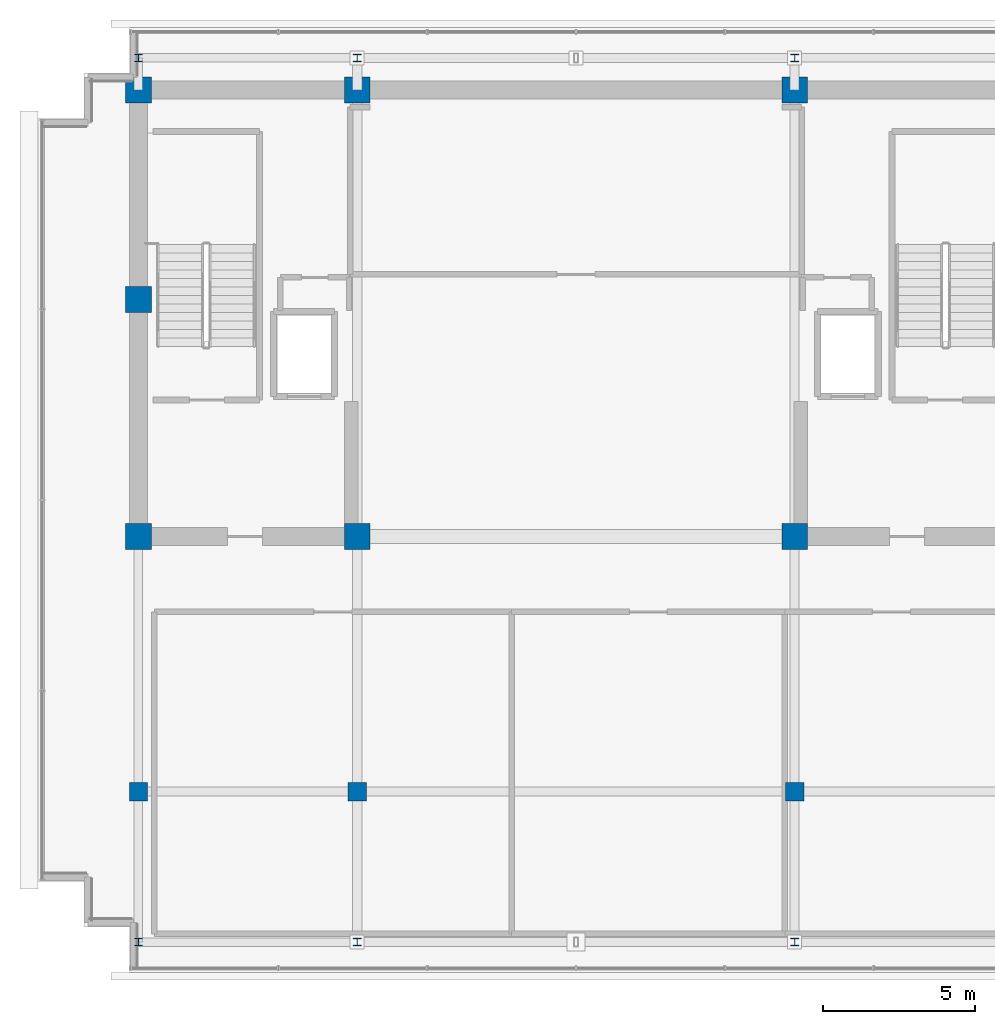
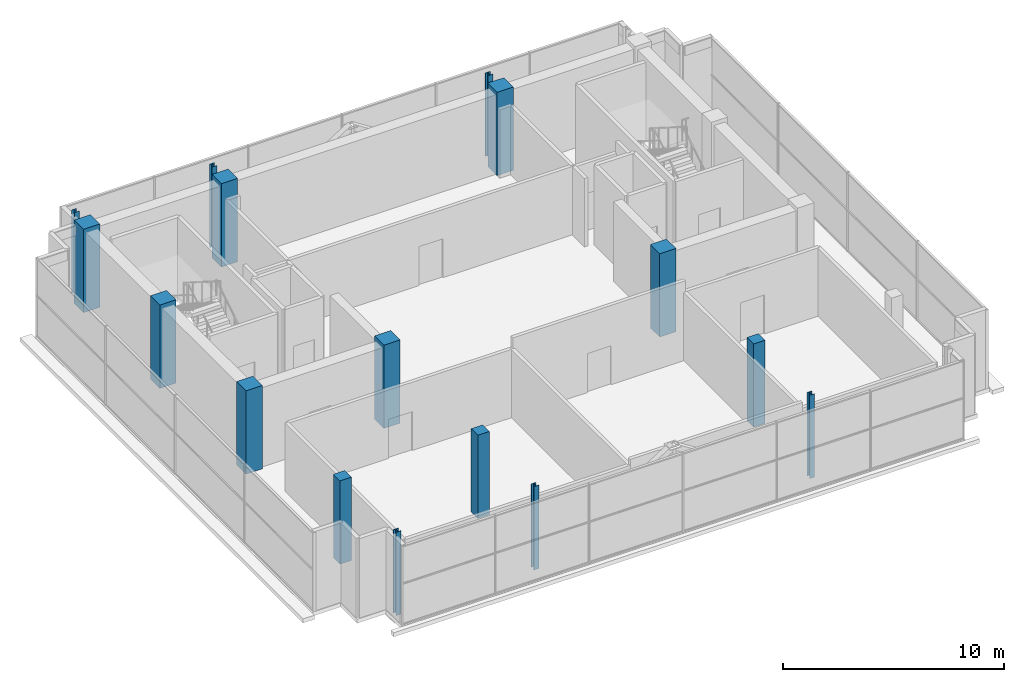
# One storey, part 1 of 27: 16 columns.
"""IFC4 building model written with IfcOpenShell, lengths in metres."""

from ifc_helpers import new_model, si_unit, direction, frame, origin, origin_2d, place, context, subcontext, project, spatial, rectangle, i_section, extrude, material, material_profile, profile_set, type_object, element, save


model = new_model("IFC4")

# Units and contexts
model_context = context("Model", 3, precision=1e-05, world=origin(), true_north=direction((0.0, 1.0)))
body_context = subcontext(model_context, "Body", "Model", "MODEL_VIEW")
ifc_project = project(units=[si_unit("LENGTHUNIT", "METRE"), si_unit("AREAUNIT", "SQUARE_METRE"), si_unit("VOLUMEUNIT", "CUBIC_METRE"), si_unit("PLANEANGLEUNIT", "RADIAN"), si_unit("MASSUNIT", "GRAM", prefix="KILO")], contexts=[model_context])

# Site, building, storey
site_placement = place(None, origin())
site = spatial("IfcSite", under=ifc_project, at=site_placement, CompositionType="ELEMENT")
building_placement = place(site_placement, origin())
building = spatial("IfcBuilding", under=site, at=building_placement, Name="Zarnakvel Exchange Tower", CompositionType="ELEMENT")
storey_placement = place(building_placement, frame((0.0, 0.0, 294.60009765625)))
storey = spatial("IfcBuildingStorey", under=building, at=storey_placement, Name="Crown L82", CompositionType="ELEMENT", Elevation=294.60009765625)

# Columns
ifc_material_1 = material(Name="Concrete C50/60", Category="concrete")
ifc_material_profile_1 = material_profile(ifc_material_1, rectangle(XDim=0.85009765625, YDim=0.85009765625, at=origin_2d()))
ifc_profile_set_1 = profile_set([ifc_material_profile_1], Name="Concrete C50/60")
column_type_1 = type_object("IfcColumnType", Name="CC-03", PredefinedType="COLUMN", material=ifc_profile_set_1)
for number, where, z_axis, x_axis, name in (
    (1, (-14.39990234375, -1.199951171875, 0.0), (0.0, 0.0, 1.0), (1.0, 0.0, 0.0), "Crown L82 Column C-4D (CC-03)"),
    (2, (-7.199951171875, -1.199951171875, 0.0), (0.0, 0.0, 1.0), (1.0, 0.0, 0.0), "Crown L82 Column C-5D (CC-03)"),
    (3, (7.199951171875, -1.199951171875, 0.0), (0.0, 0.0, 1.0), (1.0, 0.0, 0.0), "Crown L82 Column C-8D (CC-03)"),
    (4, (-14.39990234375, 6.60009765625, 0.0), (0.0, 0.0, 1.0), (1.0, 0.0, 0.0), "Crown L82 Column C-4E (CC-03)"),
    (5, (-14.39990234375, 13.5, 0.0), (0.0, 0.0, 1.0), (1.0, 0.0, 0.0), "Crown L82 Column C-4F (CC-03)"),
    (6, (-7.199951171875, 13.5, 0.0), (0.0, 0.0, 1.0), (1.0, 0.0, 0.0), "Crown L82 Column C-5F (CC-03)"),
    (7, (7.199951171875, 13.5, 0.0), (0.0, 0.0, 1.0), (1.0, 0.0, 0.0), "Crown L82 Column C-8F (CC-03)"),
):
    element("IfcColumn", number, at=place(storey_placement, frame(where, z_axis=z_axis, x_axis=x_axis)), inside=storey, type_object=column_type_1, Name=name, PredefinedType="COLUMN", context=body_context, shape_type="SweptSolid", body=[
        extrude(rectangle(XDim=0.85009765625, YDim=0.85009765625, at=origin_2d()), origin(), (0.0, 0.0, 1.0), 4.599853515625),
    ])
ifc_material_2 = material(Name="Steel S355", Category="steel")
ifc_material_profile_2 = material_profile(ifc_material_2, i_section(OverallWidth=0.260009765625, OverallDepth=0.260009765625, WebThickness=0.010009765625, FlangeThickness=0.017578125, FilletRadius=0.02392578125, at=origin_2d()))
ifc_profile_set_2 = profile_set([ifc_material_profile_2], Name="Steel S355")
column_type_2 = type_object("IfcColumnType", Name="CF-02", PredefinedType="COLUMN", material=ifc_profile_set_2)
for number, where, z_axis, x_axis, name in (
    (8, (-14.39990234375, -14.550048828125, 0.0), (0.0, 0.0, 1.0), (1.0, 0.0, 0.0), "Crown L82 Column CS-4 (CF-02)"),
    (9, (-14.39990234375, 14.550048828125, 0.0), (0.0, 0.0, 1.0), (1.0, 0.0, 0.0), "Crown L82 Column CN-4 (CF-02)"),
    (10, (-7.199951171875, -14.550048828125, 0.0), (0.0, 0.0, 1.0), (1.0, 0.0, 0.0), "Crown L82 Column CS-5 (CF-02)"),
    (11, (-7.199951171875, 14.550048828125, 0.0), (0.0, 0.0, 1.0), (1.0, 0.0, 0.0), "Crown L82 Column CN-5 (CF-02)"),
    (12, (7.199951171875, -14.550048828125, 0.0), (0.0, 0.0, 1.0), (1.0, 0.0, 0.0), "Crown L82 Column CS-8 (CF-02)"),
    (13, (7.199951171875, 14.550048828125, 0.0), (0.0, 0.0, 1.0), (1.0, 0.0, 0.0), "Crown L82 Column CN-8 (CF-02)"),
):
    element("IfcColumn", number, at=place(storey_placement, frame(where, z_axis=z_axis, x_axis=x_axis)), inside=storey, type_object=column_type_2, Name=name, PredefinedType="COLUMN", context=body_context, shape_type="SweptSolid", body=[
        extrude(i_section(OverallWidth=0.260009765625, OverallDepth=0.260009765625, WebThickness=0.010009765625, FlangeThickness=0.017578125, FilletRadius=0.02392578125, at=origin_2d()), origin(), (0.0, 0.0, 1.0), 4.599853515625),
    ])
ifc_material_profile_3 = material_profile(ifc_material_1, rectangle(XDim=0.60009765625, YDim=0.60009765625, at=origin_2d()))
ifc_profile_set_3 = profile_set([ifc_material_profile_3], Name="Concrete C50/60")
column_type_3 = type_object("IfcColumnType", Name="TC-06", PredefinedType="COLUMN", material=ifc_profile_set_3)
for number, where, z_axis, x_axis, name in (
    (14, (-14.39990234375, -9.60009765625, 0.0), (0.0, 0.0, 1.0), (1.0, 0.0, 0.0), "Crown L82 Column CC-4C (TC-06)"),
    (15, (-7.199951171875, -9.60009765625, 0.0), (0.0, 0.0, 1.0), (1.0, 0.0, 0.0), "Crown L82 Column CC-5C (TC-06)"),
    (16, (7.199951171875, -9.60009765625, 0.0), (0.0, 0.0, 1.0), (1.0, 0.0, 0.0), "Crown L82 Column CC-8C (TC-06)"),
):
    element("IfcColumn", number, at=place(storey_placement, frame(where, z_axis=z_axis, x_axis=x_axis)), inside=storey, type_object=column_type_3, Name=name, PredefinedType="COLUMN", context=body_context, shape_type="SweptSolid", body=[
        extrude(rectangle(XDim=0.60009765625, YDim=0.60009765625, at=origin_2d()), origin(), (0.0, 0.0, 1.0), 4.599853515625),
    ])

save(model, "model.ifc")
